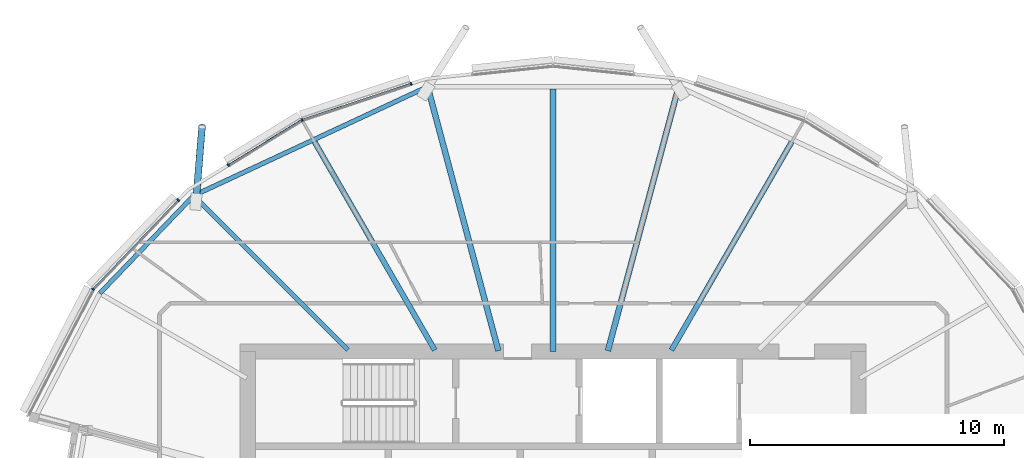
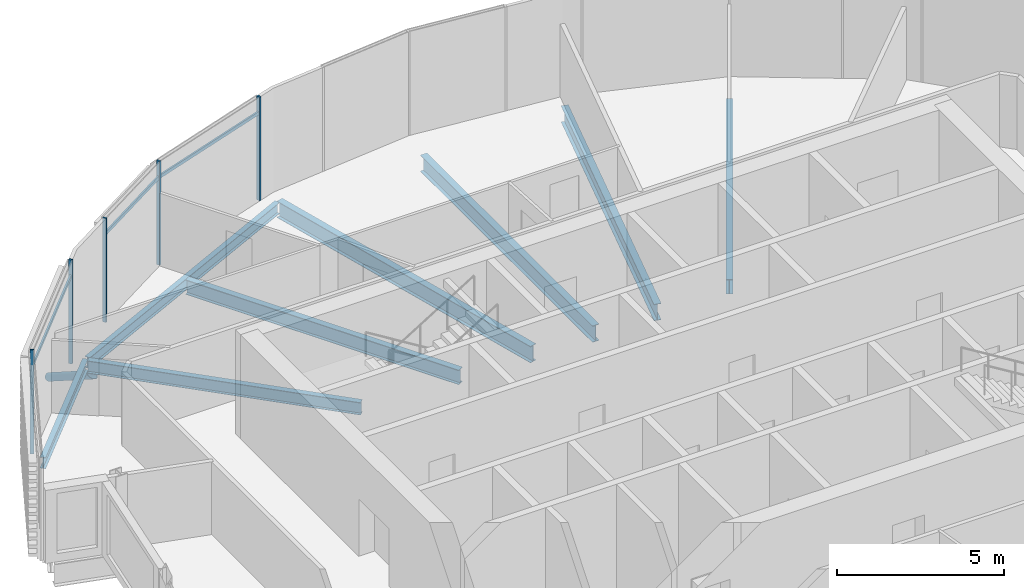
# One storey, part 9 of 36: 9 members, 8 beams, 1 element without a shape of its own.
"""IFC4 building model written with IfcOpenShell, lengths in metres."""

from ifc_helpers import new_model, si_unit, direction, frame, origin, origin_2d, place, context, subcontext, project, spatial, rectangle, hollow_circle, i_section, extrude, clip, halfspace, material, material_profile, profile_set, type_object, element, aggregate, save


model = new_model("IFC4")

# Units and contexts
model_context = context("Model", 3, precision=1e-05, world=origin(), true_north=direction((0.0, 1.0)))
body_context = subcontext(model_context, "Body", "Model", "MODEL_VIEW")
ifc_project = project(units=[si_unit("LENGTHUNIT", "METRE"), si_unit("AREAUNIT", "SQUARE_METRE"), si_unit("VOLUMEUNIT", "CUBIC_METRE"), si_unit("PLANEANGLEUNIT", "RADIAN"), si_unit("MASSUNIT", "GRAM", prefix="KILO")], contexts=[model_context])

# Site, building, storey
site_placement = place(None, origin())
site = spatial("IfcSite", under=ifc_project, at=site_placement, CompositionType="ELEMENT")
building_placement = place(site_placement, origin())
building = spatial("IfcBuilding", under=site, at=building_placement, Name="Rimbun Link Towers", CompositionType="ELEMENT")
storey_placement = place(building_placement, frame((0.0, 0.0, 200.699951171875)))
storey = spatial("IfcBuildingStorey", under=building, at=storey_placement, Name="L49", CompositionType="ELEMENT", Elevation=200.699951171875)

# Curtain wall, members
ifc_material_1 = material(Name="Aluminium 6063-T6 and low-iron glass", Category="aluminium")
curtain_wall_type = type_object("IfcCurtainWallType", Name="CW1-Z3 unitised vision wall (zone 3)", PredefinedType="NOTDEFINED", material=ifc_material_1)
curtain_wall_placement = place(storey_placement, origin())
curtain_wall = element("IfcCurtainWall", 1, at=curtain_wall_placement, inside=storey, type_object=curtain_wall_type, Name="CW1 L49 T1", PredefinedType="NOTDEFINED")
ifc_material_2 = material(Name="Aluminium 6063-T6", Category="aluminium")
ifc_material_profile_1 = material_profile(ifc_material_2, rectangle(XDim=0.1201171875, YDim=0.06005859375, at=origin_2d()), Name="MULLION 60X120")
ifc_profile_set_1 = profile_set([ifc_material_profile_1], Name="Aluminium 6063-T6")
member_type_1 = type_object("IfcMemberType", Name="CW1 mullion 60X120", PredefinedType="MULLION", material=ifc_profile_set_1)
member_1_placement = place(storey_placement, frame((-41.618896484375, 17.10400390625, 0.0), z_axis=(0.0, 0.0, 1.0), x_axis=(-0.421694621362, 0.906737914899, 0.0)))
member_1 = element("IfcMember", 2, at=member_1_placement, type_object=member_type_1, Name="CW1 mullion", PredefinedType="MULLION", context=body_context, shape_type="SweptSolid", body=[
    extrude(rectangle(XDim=0.1201171875, YDim=0.06005859375, at=origin_2d()), origin(), (0.0, 0.0, 1.0), 3.800048828125),
])
member_2_placement = place(storey_placement, frame((-37.337158203125, 18.5234375, 0.0), z_axis=(0.0, 0.0, 1.0), x_axis=(-0.314557993327, 0.949238257149, 0.0)))
member_2 = element("IfcMember", 3, at=member_2_placement, type_object=member_type_1, Name="CW1 mullion", PredefinedType="MULLION", context=body_context, shape_type="SweptSolid", body=[
    extrude(rectangle(XDim=0.1201171875, YDim=0.06005859375, at=origin_2d()), origin(), (0.0, 0.0, 1.0), 3.800048828125),
])
member_3_placement = place(storey_placement, frame((-44.51318359375, 15.327392578125, 0.0), z_axis=(0.0, 0.0, 1.0), x_axis=(-0.523229231966, 0.852191980023, 0.0)))
member_3 = element("IfcMember", 4, at=member_3_placement, type_object=member_type_1, Name="CW1 mullion", PredefinedType="MULLION", context=body_context, shape_type="SweptSolid", body=[
    extrude(rectangle(XDim=0.1201171875, YDim=0.06005859375, at=origin_2d()), origin(), (0.0, 0.0, 1.0), 3.800048828125),
])
member_4_placement = place(storey_placement, frame((-49.839111328125, 10.450439453125, 0.0), z_axis=(0.0, 0.0, 1.0), x_axis=(-0.813350615069, 0.581773819423, 0.0)))
member_4 = element("IfcMember", 5, at=member_4_placement, type_object=member_type_1, Name="CW1 mullion", PredefinedType="MULLION", context=body_context, shape_type="SweptSolid", body=[
    extrude(rectangle(XDim=0.1201171875, YDim=0.06005859375, at=origin_2d()), origin(), (0.0, 0.0, 1.0), 3.800048828125),
])
member_5_placement = place(storey_placement, frame((-46.482421875, 13.952880859375, 0.0), z_axis=(0.0, 0.0, 1.0), x_axis=(-0.721858505917, 0.692040676143, 0.0)))
member_5 = element("IfcMember", 6, at=member_5_placement, type_object=member_type_1, Name="CW1 mullion", PredefinedType="MULLION", context=body_context, shape_type="SweptSolid", body=[
    extrude(rectangle(XDim=0.1201171875, YDim=0.06005859375, at=origin_2d()), origin(), (0.0, 0.0, 1.0), 3.800048828125),
])
ifc_material_3 = material(Name="Aluminium 6063-T6", Category="aluminium")
ifc_material_profile_2 = material_profile(ifc_material_3, rectangle(XDim=0.06005859375, YDim=0.1201171875, at=origin_2d()), Name="TRANSOM 60X120")
ifc_profile_set_2 = profile_set([ifc_material_profile_2], Name="Aluminium 6063-T6")
member_type_2 = type_object("IfcMemberType", Name="CW1 transom 60X120", PredefinedType="USERDEFINED", material=ifc_profile_set_2)
member_6_placement = place(storey_placement, frame((-41.583251953125, 17.1142578125, 3.199951171875), z_axis=(0.949247657744, 0.314529623833, 0.0), x_axis=(-0.314529623833, 0.949247657744, 0.0)))
member_6 = element("IfcMember", 7, at=member_6_placement, type_object=member_type_2, Name="CW1 transom", ObjectType="TRANSOM", PredefinedType="USERDEFINED", context=body_context, shape_type="SweptSolid", body=[
    extrude(rectangle(XDim=0.06005859375, YDim=0.1201171875, at=origin_2d()), origin(), (0.0, 0.0, 1.0), 4.44384765625),
])
member_7_placement = place(storey_placement, frame((-44.486572265625, 15.341552734375, 3.199951171875), z_axis=(0.852194171963, 0.523225661901, 0.0), x_axis=(-0.523225661901, 0.852194171963, 0.0)))
member_7 = element("IfcMember", 8, at=member_7_placement, type_object=member_type_2, Name="CW1 transom", ObjectType="TRANSOM", PredefinedType="USERDEFINED", context=body_context, shape_type="SweptSolid", body=[
    extrude(rectangle(XDim=0.06005859375, YDim=0.1201171875, at=origin_2d()), origin(), (0.0, 0.0, 1.0), 3.329345703125),
])
member_8_placement = place(storey_placement, frame((-49.8115234375, 10.477294921875, 3.199951171875), z_axis=(0.692018439281, 0.721879823582, 0.0), x_axis=(-0.721879823582, 0.692018439281, 0.0)))
member_8 = element("IfcMember", 9, at=member_8_placement, type_object=member_type_2, Name="CW1 transom", ObjectType="TRANSOM", PredefinedType="USERDEFINED", context=body_context, shape_type="SweptSolid", body=[
    extrude(rectangle(XDim=0.06005859375, YDim=0.1201171875, at=origin_2d()), origin(), (0.0, 0.0, 1.0), 4.782958984375),
])
aggregate(curtain_wall, [member_1, member_2, member_3, member_4, member_5, member_6, member_7, member_8])

# Member
ifc_material_4 = material(Name="Steel S355J2H", Category="steel")
ifc_material_profile_3 = material_profile(ifc_material_4, hollow_circle(Radius=0.136474609375, WallThickness=0.012451171875, at=origin_2d()), Name="CHS 273x12.5")
ifc_profile_set_3 = profile_set([ifc_material_profile_3], Name="Steel S355J2H")
member_type_3 = type_object("IfcMemberType", Name="Floor edge link CHS 273x12.5", PredefinedType="BRACE", material=ifc_profile_set_3)
member_9_placement = place(storey_placement, frame((-45.777587890625, 14.027587890625, -0.71728515625), z_axis=(0.068325783718, 0.831954243721, -0.550621216113), x_axis=(-0.996644554423, 0.081851280624, 0.0)))
element("IfcMember", 10, at=member_9_placement, inside=storey, type_object=member_type_3, Name="Floor edge link T1 L49 09", PredefinedType="BRACE", context=body_context, shape_type="Clipping", body=[
    clip(extrude(hollow_circle(Radius=0.136474609375, WallThickness=0.012451171875, at=origin_2d()), frame((0.0, 0.0, -0.43212890625)), (0.0, 0.0, 1.0), 3.83740234375), halfspace(frame((0.0, 0.0, -0.203369140625), z_axis=(0.0, 0.83475521943, -0.550621216113)), False)),
])

# Beams
ifc_material_5 = material(Name="Steel S355J2", Category="steel")
ifc_material_profile_4 = material_profile(ifc_material_5, i_section(OverallWidth=0.177978515625, OverallDepth=0.406494140625, WebThickness=0.0078125, FlangeThickness=0.0126953125, at=origin_2d()), Name="UB 406x178x60")
ifc_profile_set_4 = profile_set([ifc_material_profile_4], Name="Steel S355J2")
beam_type_1 = type_object("IfcBeamType", Name="UB 406x178x60", PredefinedType="BEAM", material=ifc_profile_set_4)
beam_1_placement = place(storey_placement, frame((-36.788818359375, 18.361572265625, -0.353271484375), z_axis=(-0.906412403609, -0.42239383824, 0.0), x_axis=(0.42239383824, -0.906412403609, 0.0)))
element("IfcBeam", 11, at=beam_1_placement, inside=storey, type_object=beam_type_1, Name="Edge beam T1 L49 07-09", PredefinedType="BEAM", context=body_context, shape_type="SweptSolid", body=[
    extrude(i_section(OverallWidth=0.177978515625, OverallDepth=0.406494140625, WebThickness=0.0078125, FlangeThickness=0.0126953125, at=origin_2d()), origin(), (0.0, 0.0, 1.0), 9.924072265625),
])
beam_2_placement = place(storey_placement, frame((-45.877197265625, 14.1259765625, -0.353271484375), z_axis=(-0.692994797668, -0.72094258468, 0.0), x_axis=(0.72094258468, -0.692994797668, 0.0)))
element("IfcBeam", 12, at=beam_2_placement, inside=storey, type_object=beam_type_1, Name="Edge beam T1 L49 09", PredefinedType="BEAM", context=body_context, shape_type="SweptSolid", body=[
    extrude(i_section(OverallWidth=0.177978515625, OverallDepth=0.406494140625, WebThickness=0.0078125, FlangeThickness=0.0126953125, at=origin_2d()), origin(), (0.0, 0.0, 1.0), 5.311279296875),
])
ifc_material_6 = material(Name="Steel S355J2", Category="steel")
ifc_material_profile_5 = material_profile(ifc_material_6, i_section(OverallWidth=0.18994140625, OverallDepth=0.453369140625, WebThickness=0.008544921875, FlangeThickness=0.0126953125, at=origin_2d()), Name="UB 457x191x67")
ifc_profile_set_5 = profile_set([ifc_material_profile_5], Name="Steel S355J2")
beam_type_2 = type_object("IfcBeamType", Name="UB 457x191x67", PredefinedType="BEAM", material=ifc_profile_set_5)
beam_3_placement = place(storey_placement, frame((-39.81787109375, 8.06787109375, -0.376708984375), z_axis=(-0.707106781187, 0.707106781187, 0.0), x_axis=(-0.707106781187, -0.707106781187, 0.0)))
element("IfcBeam", 13, at=beam_3_placement, inside=storey, type_object=beam_type_2, Name="Radial beam T1 L49 09", PredefinedType="BEAM", context=body_context, shape_type="SweptSolid", body=[
    extrude(i_section(OverallWidth=0.18994140625, OverallDepth=0.453369140625, WebThickness=0.008544921875, FlangeThickness=0.0126953125, at=origin_2d()), origin(), (0.0, 0.0, 1.0), 8.478271484375),
])
ifc_material_7 = material(Name="Steel S355J2", Category="steel")
ifc_material_profile_6 = material_profile(ifc_material_7, i_section(OverallWidth=0.209228515625, OverallDepth=0.533203125, WebThickness=0.010009765625, FlangeThickness=0.015625, at=origin_2d()), Name="UB 533x210x92")
ifc_profile_set_6 = profile_set([ifc_material_profile_6], Name="Steel S355J2")
beam_type_3 = type_object("IfcBeamType", Name="UB 533x210x92", PredefinedType="BEAM", material=ifc_profile_set_6)
for number, where, z_axis, x_axis, name in (
    (14, (-27.1005859375, 8.05322265625, -0.41650390625), (0.500007824733, 0.866020886126, 0.0), (-0.866020886126, 0.500007824733, 0.0), "Radial beam T1 L49 04"),
    (15, (-36.3994140625, 8.05322265625, -0.41650390625), (-0.500007824733, 0.866020886126, 0.0), (-0.866020886126, -0.500007824733, 0.0), "Radial beam T1 L49 08"),
):
    element("IfcBeam", number, at=place(storey_placement, frame(where, z_axis=z_axis, x_axis=x_axis)), inside=storey, type_object=beam_type_3, Name=name, PredefinedType="BEAM", context=body_context, shape_type="SweptSolid", body=[
        extrude(i_section(OverallWidth=0.209228515625, OverallDepth=0.533203125, WebThickness=0.010009765625, FlangeThickness=0.015625, at=origin_2d()), origin(), (0.0, 0.0, 1.0), 9.454345703125),
    ])
ifc_material_8 = material(Name="Steel S355J2", Category="steel")
ifc_material_profile_7 = material_profile(ifc_material_8, i_section(OverallWidth=0.2275390625, OverallDepth=0.6025390625, WebThickness=0.010498046875, FlangeThickness=0.014892578125, at=origin_2d()), Name="UB 610x229x101")
ifc_profile_set_7 = profile_set([ifc_material_profile_7], Name="Steel S355J2")
beam_type_4 = type_object("IfcBeamType", Name="UB 610x229x101", PredefinedType="BEAM", material=ifc_profile_set_7)
beam_4_placement = place(storey_placement, frame((-29.598388671875, 8.030517578125, -0.451171875), z_axis=(0.258831851785, 0.965922394658, 0.0), x_axis=(-0.965922394658, 0.258831851785, 0.0)))
element("IfcBeam", 16, at=beam_4_placement, inside=storey, type_object=beam_type_4, Name="Radial beam T1 L49 05", PredefinedType="BEAM", context=body_context, shape_type="SweptSolid", body=[
    extrude(i_section(OverallWidth=0.2275390625, OverallDepth=0.6025390625, WebThickness=0.010498046875, FlangeThickness=0.014892578125, at=origin_2d()), origin(), (0.0, 0.0, 1.0), 10.746337890625),
])
beam_5_placement = place(storey_placement, frame((-31.75, 8.0009765625, -0.451171875), z_axis=(0.0, 1.0, 0.0), x_axis=(-1.0, 0.0, 0.0)))
element("IfcBeam", 17, at=beam_5_placement, inside=storey, type_object=beam_type_4, Name="Radial beam T1 L49 06", PredefinedType="BEAM", context=body_context, shape_type="SweptSolid", body=[
    extrude(i_section(OverallWidth=0.2275390625, OverallDepth=0.6025390625, WebThickness=0.010498046875, FlangeThickness=0.014892578125, at=origin_2d()), origin(), (0.0, 0.0, 1.0), 10.31982421875),
])
beam_6_placement = place(storey_placement, frame((-33.901611328125, 8.030517578125, -0.451171875), z_axis=(-0.258831851785, 0.965922394658, 0.0), x_axis=(-0.965922394658, -0.258831851785, 0.0)))
element("IfcBeam", 18, at=beam_6_placement, inside=storey, type_object=beam_type_4, Name="Radial beam T1 L49 07", PredefinedType="BEAM", context=body_context, shape_type="SweptSolid", body=[
    extrude(i_section(OverallWidth=0.2275390625, OverallDepth=0.6025390625, WebThickness=0.010498046875, FlangeThickness=0.014892578125, at=origin_2d()), origin(), (0.0, 0.0, 1.0), 10.746337890625),
])

save(model, "model.ifc")
